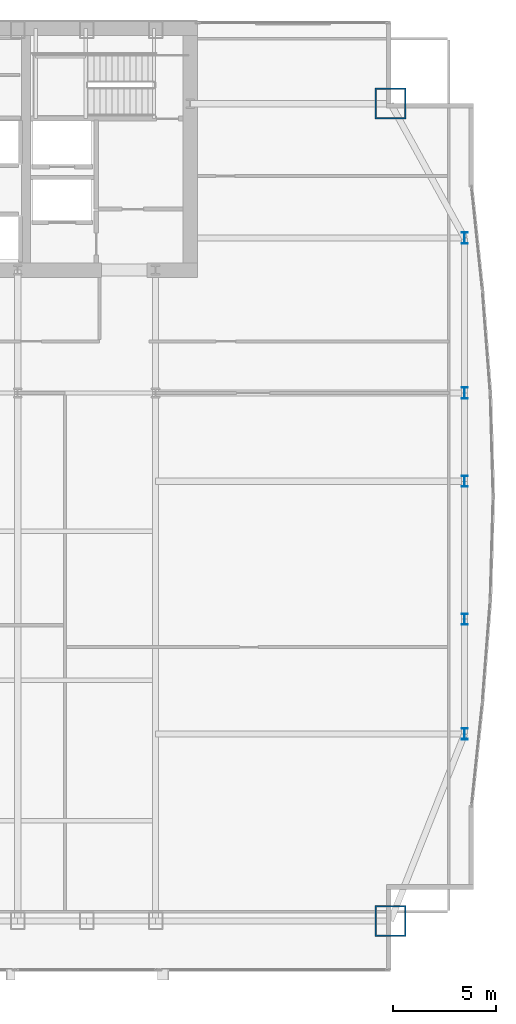
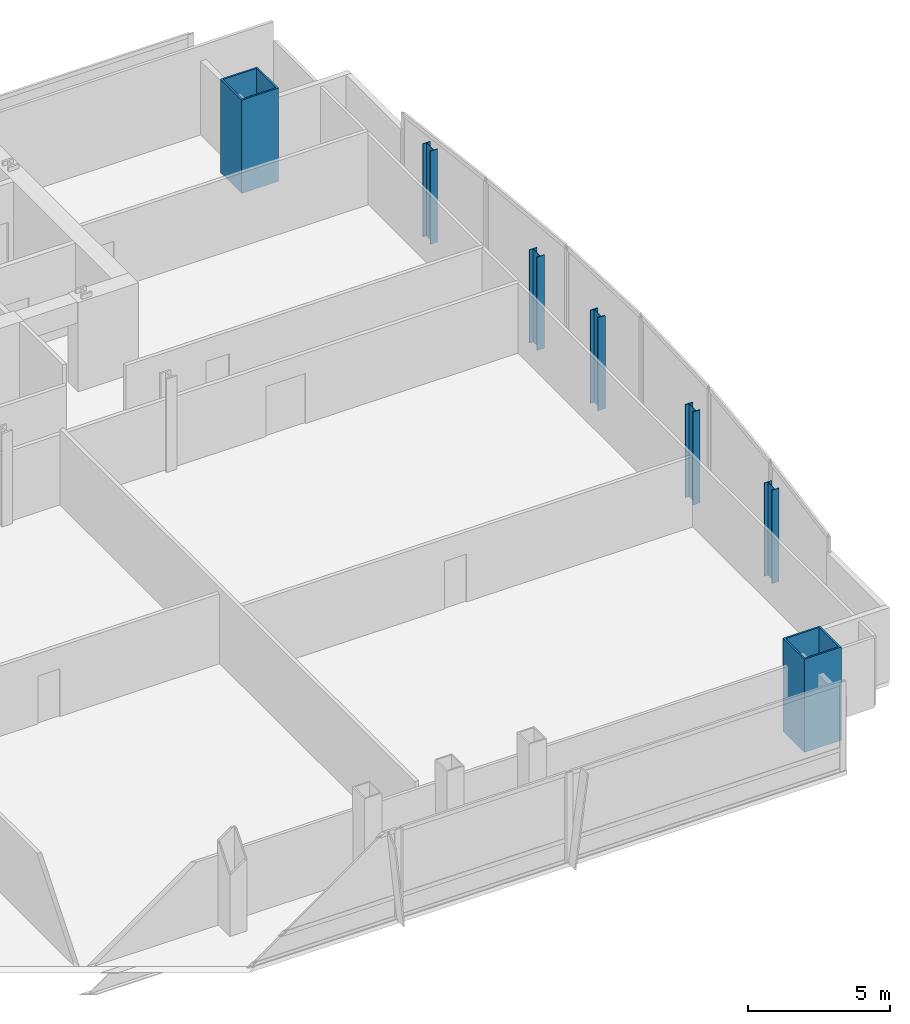
# One storey, part 4 of 30: 7 columns.
"""IFC4 building model written with IfcOpenShell, lengths in metres."""

import ifcopenshell
import ifcopenshell.guid

model = None  # the IFC model being written
_history = None  # IfcOwnerHistory: only IFC2X3 demands one
_inside = {}  # id of a spatial element -> (the spatial element, [elements in it])
_under = {}  # id of a project, library or spatial element -> (it, [spatial elements below it])
_declared = {}  # id of a project -> (the project, [libraries it declares])
_typed = {}  # id of a type object -> (the type object, [elements of that type])
_made_of = {}  # id of a material, layer set ... -> (it, [elements and type objects made of it])


def new_model(schema):
    """Start an empty IFC model of exactly this schema.

    Asked for "IFC4X3", IfcOpenShell would pick the latest addendum, in which some entities
    have other attributes; the version numbers below select the first issue.
    IFC2X3 requires an IfcOwnerHistory on every rooted entity: one is made here for all.
    """
    global model, _history
    if schema == "IFC4X3":
        model = ifcopenshell.file(schema_version=(4, 3, 0, 0))
    else:
        model = ifcopenshell.file(schema=schema)
    _inside.clear()
    _under.clear()
    _declared.clear()
    _typed.clear()
    _made_of.clear()
    _history = None
    if model.schema == "IFC2X3":
        org = make("IfcOrganization", Name="unknown")
        user = make(
            "IfcPersonAndOrganization",
            ThePerson=make("IfcPerson", FamilyName="unknown"),
            TheOrganization=org,
        )
        app = make(
            "IfcApplication",
            ApplicationDeveloper=org,
            Version="unknown",
            ApplicationFullName="unknown",
            ApplicationIdentifier="unknown",
        )
        _history = make(
            "IfcOwnerHistory",
            OwningUser=user,
            OwningApplication=app,
            ChangeAction="ADDED",
            CreationDate=0,
        )
    return model


def make(cls, **values):
    """One entity of the class cls with the attributes given. An attribute that is None is left unset."""
    return model.create_entity(
        cls, **{name: value for name, value in values.items() if value is not None}
    )


def rooted(cls, **values):
    """An entity with a GlobalId (a new one), such as an element, a storey or a relation."""
    return make(cls, GlobalId=ifcopenshell.guid.new(), OwnerHistory=_history, **values)


def si_unit(unit_type, name, prefix=None):
    """IfcSIUnit, for example si_unit("LENGTHUNIT", "METRE", prefix="MILLI")."""
    return make("IfcSIUnit", UnitType=unit_type, Prefix=prefix, Name=name)


def assignment(units):
    """IfcUnitAssignment: the units of a project."""
    return None if units is None else make("IfcUnitAssignment", Units=units)


def point(xyz):
    """IfcCartesianPoint."""
    return None if xyz is None else make("IfcCartesianPoint", Coordinates=xyz)


def direction(xyz):
    """IfcDirection."""
    return None if xyz is None else make("IfcDirection", DirectionRatios=xyz)


def frame(location, z_axis=None, x_axis=None):
    """IfcAxis2Placement3D, a coordinate frame: its origin and axes. An axis left out is left unset."""
    return make(
        "IfcAxis2Placement3D",
        Location=point(location),
        Axis=direction(z_axis),
        RefDirection=direction(x_axis),
    )


def frame_2d(location, x_axis=None):
    """IfcAxis2Placement2D, a coordinate frame in the plane: its origin and x axis."""
    return make(
        "IfcAxis2Placement2D", Location=point(location), RefDirection=direction(x_axis)
    )


def origin():
    """The frame at (0, 0, 0) with its axes left unset."""
    return frame((0.0, 0.0, 0.0))


def origin_2d():
    """The frame at (0, 0) in the plane with its x axis left unset."""
    return frame_2d((0.0, 0.0))


def place(relative_to, where):
    """IfcLocalPlacement: puts the frame where relative to a parent placement (None: the world)."""
    return make(
        "IfcLocalPlacement", PlacementRelTo=relative_to, RelativePlacement=where
    )


def context(
    kind, dimensions, precision=None, world=None, true_north=None, identifier=None
):
    """IfcGeometricRepresentationContext, for example the 3D "Model" context."""
    return make(
        "IfcGeometricRepresentationContext",
        ContextIdentifier=identifier,
        ContextType=kind,
        CoordinateSpaceDimension=dimensions,
        Precision=precision,
        WorldCoordinateSystem=world,
        TrueNorth=true_north,
    )


def subcontext(parent, identifier, kind, view, scale=None):
    """IfcGeometricRepresentationSubContext, for example "Body" below "Model"."""
    return make(
        "IfcGeometricRepresentationSubContext",
        ContextIdentifier=identifier,
        ContextType=kind,
        ParentContext=parent,
        TargetScale=scale,
        TargetView=view,
    )


def project(units=None, contexts=None):
    """IfcProject with its units and contexts."""
    return rooted(
        "IfcProject",
        Name="project",
        RepresentationContexts=contexts,
        UnitsInContext=assignment(units),
    )


def spatial(cls, under=None, at=None, **own):
    """A site, building, storey or space (cls), placed at a placement, below another one or the project."""
    s = rooted(cls, ObjectPlacement=at, **own)
    if under is not None:
        _under.setdefault(under.id(), (under, []))[1].append(s)
    return s


def profile(cls, at=None, kind="AREA", **sizes):
    """A parametric profile (cls). Its sizes go by their IFC names, for example OverallWidth=200.0."""
    return make(cls, ProfileType=kind, Position=at, **sizes)


def hollow_rectangle(**sizes):
    """IfcRectangleHollowProfileDef."""
    return profile("IfcRectangleHollowProfileDef", **sizes)


def i_section(**sizes):
    """IfcIShapeProfileDef."""
    return profile("IfcIShapeProfileDef", **sizes)


def extrude(swept, where, along, depth):
    """IfcExtrudedAreaSolid: the profile swept, set in the frame where, extruded along a direction by depth."""
    return make(
        "IfcExtrudedAreaSolid",
        SweptArea=swept,
        Position=where,
        ExtrudedDirection=direction(along),
        Depth=depth,
    )


def shape(context_of_items, identifier, shape_type, items):
    """IfcShapeRepresentation: the items that make up one representation, for example the "Body"."""
    return make(
        "IfcShapeRepresentation",
        ContextOfItems=context_of_items,
        RepresentationIdentifier=identifier,
        RepresentationType=shape_type,
        Items=items,
    )


def material(Name=None, Category=None):
    """IfcMaterial."""
    return make("IfcMaterial", Name=Name, Category=Category)


def material_profile(
    of_material, cross_section, Name=None, Category=None, Priority=None
):
    """IfcMaterialProfile: a cross section and its material."""
    return make(
        "IfcMaterialProfile",
        Name=Name,
        Material=of_material,
        Profile=cross_section,
        Priority=Priority,
        Category=Category,
    )


def profile_set(profiles, Name=None, composite=None):
    """IfcMaterialProfileSet."""
    return make(
        "IfcMaterialProfileSet",
        Name=Name,
        MaterialProfiles=profiles,
        CompositeProfile=composite,
    )


def made_of(thing, what):
    """Note that an element or type object is made of a material, layer set ...; save() writes the relation."""
    if what is not None:
        _made_of.setdefault(what.id(), (what, []))[1].append(thing)
    return thing


def type_object(cls, material=None, **own):
    """A type object (cls), such as IfcWallType, which elements share."""
    return made_of(rooted(cls, **own), material)


def element(
    cls,
    number,
    at=None,
    inside=None,
    cuts=None,
    type_object=None,
    material=None,
    context=None,
    identifier="Body",
    shape_type=None,
    held_by="IfcProductDefinitionShape",
    body=None,
    shapes=None,
    **own,
):
    """One element of the class cls, such as IfcWall. Its Tag is "e" and its number.

    at: its placement. inside: the storey or other place that contains it. cuts: it is an
    opening in that element (IfcRelVoidsElement). A single representation is given by context,
    identifier, shape_type and body (its items); several are given by shapes. held_by: the class
    of the entity that holds the representations. save() writes the other relations.
    """
    e = rooted(cls, Tag="e%d" % number, ObjectPlacement=at, **own)
    if body is not None:
        shapes = [shape(context, identifier, shape_type, body)]
    if shapes is not None:
        e.Representation = make(held_by, Representations=shapes)
    if inside is not None:
        _inside.setdefault(inside.id(), (inside, []))[1].append(e)
    if cuts is not None:
        rooted(
            "IfcRelVoidsElement", RelatingBuildingElement=cuts, RelatedOpeningElement=e
        )
    if type_object is not None:
        _typed.setdefault(type_object.id(), (type_object, []))[1].append(e)
    return made_of(e, material)


def aggregate(whole, parts):
    """IfcRelAggregates: a whole, such as a stair, and the parts it consists of."""
    return rooted("IfcRelAggregates", RelatingObject=whole, RelatedObjects=parts)


def save(model, path):
    """Write the relations noted so far, then the file.

    IfcRelAggregates (storeys below a building ...), IfcRelContainedInSpatialStructure (elements
    in a storey), IfcRelDefinesByType, IfcRelAssociatesMaterial and IfcRelDeclares: one each for
    every whole, place, type object, material and project.
    """
    for whole, parts in _under.values():
        aggregate(whole, parts)
    for where, things in _inside.values():
        rooted(
            "IfcRelContainedInSpatialStructure",
            RelatedElements=things,
            RelatingStructure=where,
        )
    for kind, things in _typed.values():
        rooted("IfcRelDefinesByType", RelatedObjects=things, RelatingType=kind)
    for what, things in _made_of.values():
        rooted("IfcRelAssociatesMaterial", RelatedObjects=things, RelatingMaterial=what)
    for by, libraries in _declared.values():
        rooted("IfcRelDeclares", RelatingContext=by, RelatedDefinitions=libraries)
    model.write(path)


model = new_model("IFC4")

# Units and contexts
model_context = context("Model", 3, precision=1e-05, world=origin(), true_north=direction((0.0, 1.0)))
body_context = subcontext(model_context, "Body", "Model", "MODEL_VIEW")
ifc_project = project(units=[si_unit("LENGTHUNIT", "METRE"), si_unit("AREAUNIT", "SQUARE_METRE"), si_unit("VOLUMEUNIT", "CUBIC_METRE"), si_unit("PLANEANGLEUNIT", "RADIAN"), si_unit("MASSUNIT", "GRAM", prefix="KILO")], contexts=[model_context])

# Site, building, storey
site_placement = place(None, origin())
site = spatial("IfcSite", under=ifc_project, at=site_placement, CompositionType="ELEMENT")
building_placement = place(site_placement, origin())
building = spatial("IfcBuilding", under=site, at=building_placement, Name="Khoronbel Lancet Exchange", CompositionType="ELEMENT")
storey_placement = place(building_placement, frame((0.0, 0.0, 98.60009765625)))
storey = spatial("IfcBuildingStorey", under=building, at=storey_placement, Name="L23", CompositionType="ELEMENT", Elevation=98.60009765625)

# Columns
ifc_material_1 = material(Name="Steel S355", Category="steel")
ifc_material_profile_1 = material_profile(ifc_material_1, i_section(OverallWidth=0.300048828125, OverallDepth=0.550048828125, WebThickness=0.014892578125, FlangeThickness=0.029052734375, at=origin_2d()), Name="HEB 550")
ifc_profile_set_1 = profile_set([ifc_material_profile_1], Name="Steel S355")
column_type_1 = type_object("IfcColumnType", Name="COL-LC1", PredefinedType="COLUMN", material=ifc_profile_set_1)
for number, where, z_axis, x_axis, name in (
    (1, (69.6298828125, 19.199951171875, 0.0), (0.0, 0.0, 1.0), (1.0, 0.0, 0.0), "Structural column EC-1 L23"),
    (2, (69.6298828125, 24.75, 0.0), (0.0, 0.0, 1.0), (1.0, 0.0, 0.0), "Structural column EC-2 L23"),
    (3, (69.6298828125, 31.425048828125, 0.0), (0.0, 0.0, 1.0), (1.0, 0.0, 0.0), "Structural column EC-M L23"),
    (4, (69.6298828125, 35.699951171875, 0.0), (0.0, 0.0, 1.0), (1.0, 0.0, 0.0), "Structural column EC-3 L23"),
    (5, (69.6298828125, 43.199951171875, 0.0), (0.0, 0.0, 1.0), (1.0, 0.0, 0.0), "Structural column EC-4 L23"),
):
    element("IfcColumn", number, at=place(storey_placement, frame(where, z_axis=z_axis, x_axis=x_axis)), inside=storey, type_object=column_type_1, Name=name, PredefinedType="COLUMN", context=body_context, shape_type="SweptSolid", body=[
        extrude(i_section(OverallWidth=0.300048828125, OverallDepth=0.550048828125, WebThickness=0.014892578125, FlangeThickness=0.029052734375, at=origin_2d()), origin(), (0.0, 0.0, 1.0), 4.0),
    ])
ifc_material_2 = material(Name="Steel S460", Category="steel")
ifc_material_profile_2 = material_profile(ifc_material_2, hollow_rectangle(XDim=1.5, YDim=1.5, WallThickness=0.070068359375, at=origin_2d()), Name="BOX 1500x1500x70")
ifc_profile_set_2 = profile_set([ifc_material_profile_2], Name="Steel S460")
column_type_2 = type_object("IfcColumnType", Name="COL-MC3", PredefinedType="COLUMN", material=ifc_profile_set_2)
for number, where, z_axis, x_axis, name in (
    (6, (66.050048828125, 10.14990234375, 0.0), (0.0, 0.0, 1.0), (1.0, 0.0, 0.0), "Structural column MC-SE L23"),
    (7, (66.050048828125, 49.699951171875, 0.0), (0.0, 0.0, 1.0), (1.0, 0.0, 0.0), "Structural column MC-NE L23"),
):
    element("IfcColumn", number, at=place(storey_placement, frame(where, z_axis=z_axis, x_axis=x_axis)), inside=storey, type_object=column_type_2, Name=name, PredefinedType="COLUMN", context=body_context, shape_type="SweptSolid", body=[
        extrude(hollow_rectangle(XDim=1.5, YDim=1.5, WallThickness=0.070068359375, at=origin_2d()), origin(), (0.0, 0.0, 1.0), 4.0),
    ])

save(model, "model.ifc")
